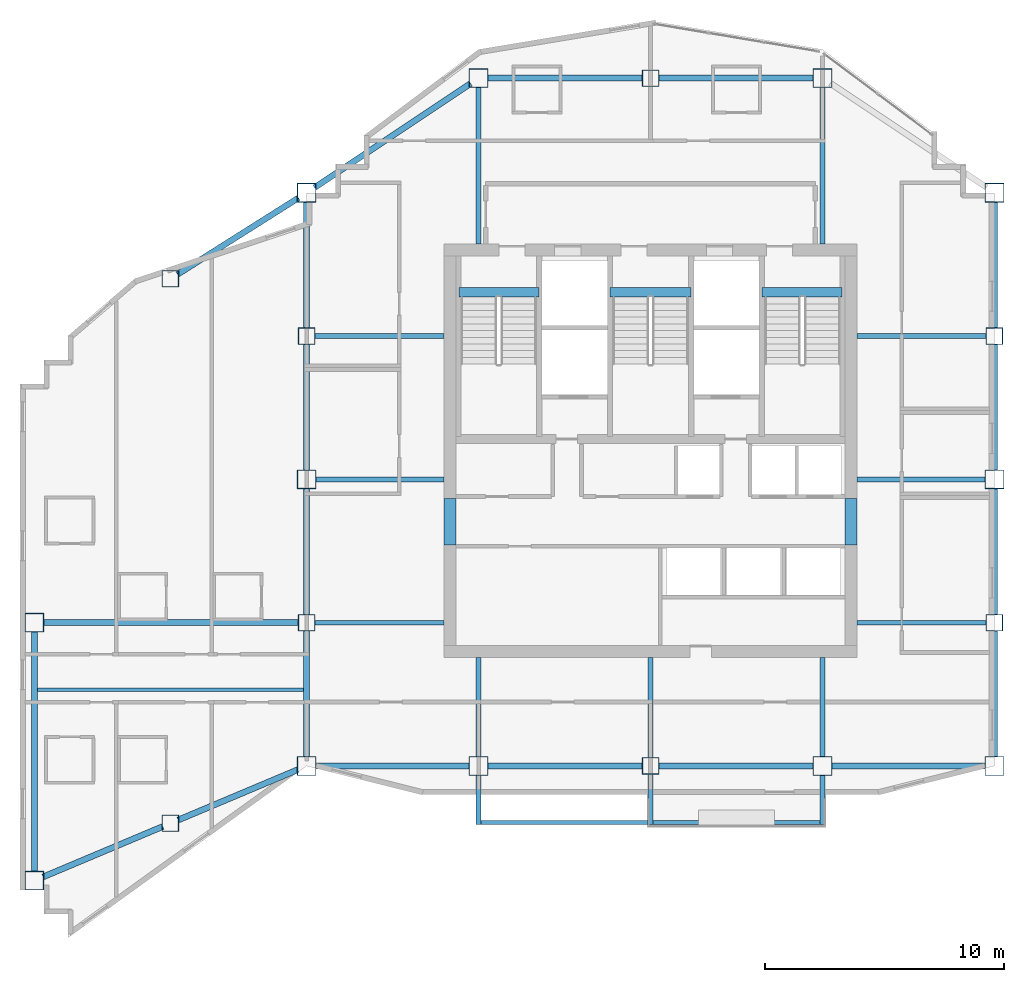
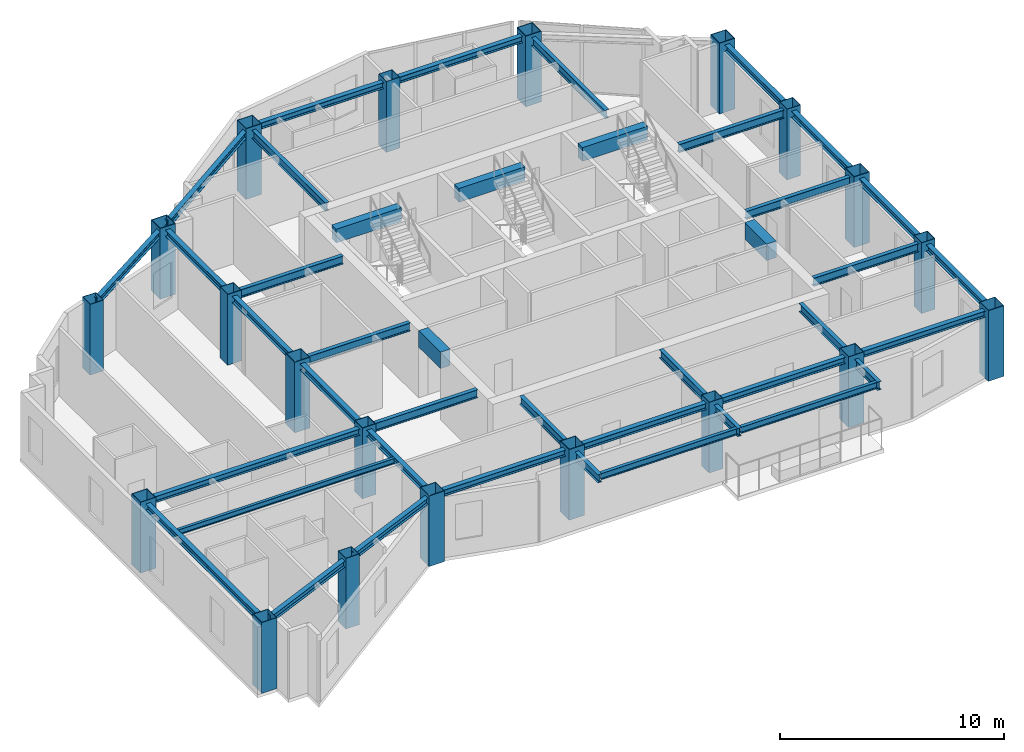
# One storey, part 1 of 9: 42 beams, 20 columns.
"""IFC4 building model written with IfcOpenShell, lengths in metres."""

from ifc_helpers import new_model, si_unit, direction, frame, origin, origin_2d, place, context, subcontext, project, spatial, rectangle, hollow_rectangle, i_section, extrude, material, material_profile, profile_set, type_object, element, save


model = new_model("IFC4")

# Units and contexts
model_context = context("Model", 3, precision=1e-05, world=origin(), true_north=direction((0.0, 1.0)))
body_context = subcontext(model_context, "Body", "Model", "MODEL_VIEW")
ifc_project = project(units=[si_unit("LENGTHUNIT", "METRE"), si_unit("AREAUNIT", "SQUARE_METRE"), si_unit("VOLUMEUNIT", "CUBIC_METRE"), si_unit("PLANEANGLEUNIT", "RADIAN"), si_unit("MASSUNIT", "GRAM", prefix="KILO")], contexts=[model_context])

# Site, building, storey
site_placement = place(None, origin())
site = spatial("IfcSite", under=ifc_project, at=site_placement, CompositionType="ELEMENT")
building_placement = place(site_placement, origin())
building = spatial("IfcBuilding", under=site, at=building_placement, Name="Haolan Belvedere Tower", CompositionType="ELEMENT")
storey_placement = place(building_placement, frame((0.0, 0.0, 269.85009765625)))
storey = spatial("IfcBuildingStorey", under=building, at=storey_placement, Name="L68", CompositionType="ELEMENT", Elevation=269.85009765625)

# Columns
ifc_material_1 = material(Name="Steel Q390GJC", Category="steel")
ifc_material_profile_1 = material_profile(ifc_material_1, hollow_rectangle(XDim=0.699951171875, YDim=0.699951171875, WallThickness=0.02587890625, at=origin_2d()), Name="Steel Q390GJC")
ifc_profile_set_1 = profile_set([ifc_material_profile_1], Name="Steel Q390GJC")
column_type_1 = type_object("IfcColumnType", Name="COL-BOX700x700x26", PredefinedType="COLUMN", material=ifc_profile_set_1)
for number, where, z_axis, x_axis, name in (
    (1, (24.0, 27.60009765625, 0.0), (0.0, 0.0, 1.0), (1.0, 0.0, 0.0), "L68 column TC-T3-W1 (BOX700x700x26)"),
    (2, (24.0, 39.60009765625, 0.0), (0.0, 0.0, 1.0), (1.0, 0.0, 0.0), "L68 column TC-T3-W2 (BOX700x700x26)"),
    (3, (52.800048828125, 27.60009765625, 0.0), (0.0, 0.0, 1.0), (1.0, 0.0, 0.0), "L68 column TC-T3-E1 (BOX700x700x26)"),
    (4, (52.800048828125, 39.60009765625, 0.0), (0.0, 0.0, 1.0), (1.0, 0.0, 0.0), "L68 column TC-T3-E2 (BOX700x700x26)"),
    (5, (38.39990234375, 21.60009765625, 0.0), (0.0, 0.0, 1.0), (1.0, 0.0, 0.0), "L68 column TC-T3-SM (BOX700x700x26)"),
    (6, (38.39990234375, 50.39990234375, 0.0), (0.0, 0.0, 1.0), (1.0, 0.0, 0.0), "L68 column TC-T3-NM (BOX700x700x26)"),
    (7, (18.300048828125, 19.199951171875, 0.0), (0.0, 0.0, 1.0), (1.0, 0.0, 0.0), "L68 column TC-T2-S1 (BOX700x700x26)"),
    (8, (18.300048828125, 42.0, 0.0), (0.0, 0.0, 1.0), (1.0, 0.0, 0.0), "L68 column TC-T2-N1 (BOX700x700x26)"),
):
    element("IfcColumn", number, at=place(storey_placement, frame(where, z_axis=z_axis, x_axis=x_axis)), inside=storey, type_object=column_type_1, Name=name, PredefinedType="COLUMN", context=body_context, shape_type="SweptSolid", body=[
        extrude(hollow_rectangle(XDim=0.699951171875, YDim=0.699951171875, WallThickness=0.02587890625, at=origin_2d()), origin(), (0.0, 0.0, 1.0), 3.849853515625),
    ])
ifc_material_profile_2 = material_profile(ifc_material_1, hollow_rectangle(XDim=0.800048828125, YDim=0.800048828125, WallThickness=0.030029296875, at=origin_2d()), Name="Steel Q390GJC")
ifc_profile_set_2 = profile_set([ifc_material_profile_2], Name="Steel Q390GJC")
column_type_2 = type_object("IfcColumnType", Name="COL-BOX800x800x30", PredefinedType="COLUMN", material=ifc_profile_set_2)
for number, where, z_axis, x_axis, name in (
    (9, (24.0, 21.60009765625, 0.0), (0.0, 0.0, 1.0), (1.0, 0.0, 0.0), "L68 column MC-T3-SW (BOX800x800x30)"),
    (10, (24.0, 33.60009765625, 0.0), (0.0, 0.0, 1.0), (1.0, 0.0, 0.0), "L68 column MC-T3-MW (BOX800x800x30)"),
    (11, (24.0, 45.60009765625, 0.0), (0.0, 0.0, 1.0), (1.0, 0.0, 0.0), "L68 column MC-T3-NW (BOX800x800x30)"),
    (12, (52.800048828125, 21.60009765625, 0.0), (0.0, 0.0, 1.0), (1.0, 0.0, 0.0), "L68 column MC-T3-SE (BOX800x800x30)"),
    (13, (52.800048828125, 33.60009765625, 0.0), (0.0, 0.0, 1.0), (1.0, 0.0, 0.0), "L68 column MC-T3-ME (BOX800x800x30)"),
    (14, (52.800048828125, 45.60009765625, 0.0), (0.0, 0.0, 1.0), (1.0, 0.0, 0.0), "L68 column MC-T3-NE (BOX800x800x30)"),
    (15, (31.199951171875, 21.60009765625, 0.0), (0.0, 0.0, 1.0), (1.0, 0.0, 0.0), "L68 column MC-T3-S1 (BOX800x800x30)"),
    (16, (45.60009765625, 21.60009765625, 0.0), (0.0, 0.0, 1.0), (1.0, 0.0, 0.0), "L68 column MC-T3-S2 (BOX800x800x30)"),
    (17, (31.199951171875, 50.39990234375, 0.0), (0.0, 0.0, 1.0), (1.0, 0.0, 0.0), "L68 column MC-T3-N1 (BOX800x800x30)"),
    (18, (45.60009765625, 50.39990234375, 0.0), (0.0, 0.0, 1.0), (1.0, 0.0, 0.0), "L68 column MC-T3-N2 (BOX800x800x30)"),
    (19, (12.60009765625, 16.800048828125, 0.0), (0.0, 0.0, 1.0), (1.0, 0.0, 0.0), "L68 column MC-T2-SW (BOX800x800x30)"),
    (20, (12.60009765625, 27.60009765625, 0.0), (0.0, 0.0, 1.0), (1.0, 0.0, 0.0), "L68 column MC-T2-MW (BOX800x800x30)"),
):
    element("IfcColumn", number, at=place(storey_placement, frame(where, z_axis=z_axis, x_axis=x_axis)), inside=storey, type_object=column_type_2, Name=name, PredefinedType="COLUMN", context=body_context, shape_type="SweptSolid", body=[
        extrude(hollow_rectangle(XDim=0.800048828125, YDim=0.800048828125, WallThickness=0.030029296875, at=origin_2d()), origin(), (0.0, 0.0, 1.0), 3.849853515625),
    ])

# Beams
ifc_material_2 = material(Name="Steel Q355B", Category="steel")
ifc_material_profile_3 = material_profile(ifc_material_2, i_section(OverallWidth=0.25, OverallDepth=0.340087890625, WebThickness=0.009033203125, FlangeThickness=0.013916015625, FilletRadius=0.02001953125, at=origin_2d()), Name="Steel Q355B")
ifc_profile_set_3 = profile_set([ifc_material_profile_3], Name="Steel Q355B")
beam_type_1 = type_object("IfcBeamType", Name="BM-HM340x250x9x14", PredefinedType="SPANDREL", material=ifc_profile_set_3)
for number, where, z_axis, x_axis, name in (
    (21, (24.0, 22.0, 3.5), (0.0, 1.0, 0.0), (-1.0, 0.0, 0.0), "L68 spandrel girder MC-T3-SW-TC-T3-W1"),
    (22, (24.0, 27.949951171875, 3.5), (0.0, 1.0, 0.0), (-1.0, 0.0, 0.0), "L68 spandrel girder TC-T3-W1-MC-T3-MW"),
    (23, (24.0, 34.0, 3.5), (0.0, 1.0, 0.0), (-1.0, 0.0, 0.0), "L68 spandrel girder MC-T3-MW-TC-T3-W2"),
    (24, (24.0, 39.949951171875, 3.5), (0.0, 1.0, 0.0), (-1.0, 0.0, 0.0), "L68 spandrel girder TC-T3-W2-MC-T3-NW"),
    (25, (52.800048828125, 22.0, 3.5), (0.0, 1.0, 0.0), (-1.0, 0.0, 0.0), "L68 spandrel girder MC-T3-SE-TC-T3-E1"),
    (26, (52.800048828125, 27.949951171875, 3.5), (0.0, 1.0, 0.0), (-1.0, 0.0, 0.0), "L68 spandrel girder TC-T3-E1-MC-T3-ME"),
    (27, (52.800048828125, 34.0, 3.5), (0.0, 1.0, 0.0), (-1.0, 0.0, 0.0), "L68 spandrel girder MC-T3-ME-TC-T3-E2"),
    (28, (52.800048828125, 39.949951171875, 3.5), (0.0, 1.0, 0.0), (-1.0, 0.0, 0.0), "L68 spandrel girder TC-T3-E2-MC-T3-NE"),
):
    element("IfcBeam", number, at=place(storey_placement, frame(where, z_axis=z_axis, x_axis=x_axis)), inside=storey, type_object=beam_type_1, Name=name, PredefinedType="SPANDREL", context=body_context, shape_type="SweptSolid", body=[
        extrude(i_section(OverallWidth=0.25, OverallDepth=0.340087890625, WebThickness=0.009033203125, FlangeThickness=0.013916015625, FilletRadius=0.02001953125, at=origin_2d()), origin(), (0.0, 0.0, 1.0), 5.25),
    ])
beam_1_placement = place(storey_placement, frame((24.39990234375, 21.60009765625, 3.5), z_axis=(1.0, 0.0, 0.0), x_axis=(0.0, 1.0, 0.0)))
element("IfcBeam", 29, at=beam_1_placement, inside=storey, type_object=beam_type_1, Name="L68 spandrel girder MC-T3-SW-MC-T3-S1", PredefinedType="SPANDREL", context=body_context, shape_type="SweptSolid", body=[
    extrude(i_section(OverallWidth=0.25, OverallDepth=0.340087890625, WebThickness=0.009033203125, FlangeThickness=0.013916015625, FilletRadius=0.02001953125, at=origin_2d()), origin(), (0.0, 0.0, 1.0), 6.400146484375),
])
for number, where, z_axis, x_axis, name in (
    (30, (31.60009765625, 21.60009765625, 3.5), (1.0, 0.0, 0.0), (0.0, 1.0, 0.0), "L68 spandrel girder MC-T3-S1-TC-T3-SM"),
    (31, (38.75, 21.60009765625, 3.5), (1.0, 0.0, 0.0), (0.0, 1.0, 0.0), "L68 spandrel girder TC-T3-SM-MC-T3-S2"),
):
    element("IfcBeam", number, at=place(storey_placement, frame(where, z_axis=z_axis, x_axis=x_axis)), inside=storey, type_object=beam_type_1, Name=name, PredefinedType="SPANDREL", context=body_context, shape_type="SweptSolid", body=[
        extrude(i_section(OverallWidth=0.25, OverallDepth=0.340087890625, WebThickness=0.009033203125, FlangeThickness=0.013916015625, FilletRadius=0.02001953125, at=origin_2d()), origin(), (0.0, 0.0, 1.0), 6.449951171875),
    ])
beam_2_placement = place(storey_placement, frame((46.0, 21.60009765625, 3.5), z_axis=(1.0, 0.0, 0.0), x_axis=(0.0, 1.0, 0.0)))
element("IfcBeam", 32, at=beam_2_placement, inside=storey, type_object=beam_type_1, Name="L68 spandrel girder MC-T3-S2-MC-T3-SE", PredefinedType="SPANDREL", context=body_context, shape_type="SweptSolid", body=[
    extrude(i_section(OverallWidth=0.25, OverallDepth=0.340087890625, WebThickness=0.009033203125, FlangeThickness=0.013916015625, FilletRadius=0.02001953125, at=origin_2d()), origin(), (0.0, 0.0, 1.0), 6.39990234375),
])
beam_3_placement = place(storey_placement, frame((24.332763671875, 45.82177734375, 3.5), z_axis=(0.832040729016, 0.55471454394, 0.0), x_axis=(-0.55471454394, 0.832040729016, 0.0)))
element("IfcBeam", 33, at=beam_3_placement, inside=storey, type_object=beam_type_1, Name="L68 spandrel girder MC-T3-NW-MC-T3-N1", PredefinedType="SPANDREL", context=body_context, shape_type="SweptSolid", body=[
    extrude(i_section(OverallWidth=0.25, OverallDepth=0.340087890625, WebThickness=0.009033203125, FlangeThickness=0.013916015625, FilletRadius=0.02001953125, at=origin_2d()), origin(), (0.0, 0.0, 1.0), 7.853515625),
])
for number, where, z_axis, x_axis, name in (
    (34, (31.60009765625, 50.39990234375, 3.5), (1.0, 0.0, 0.0), (0.0, 1.0, 0.0), "L68 spandrel girder MC-T3-N1-TC-T3-NM"),
    (35, (38.75, 50.39990234375, 3.5), (1.0, 0.0, 0.0), (0.0, 1.0, 0.0), "L68 spandrel girder TC-T3-NM-MC-T3-N2"),
):
    element("IfcBeam", number, at=place(storey_placement, frame(where, z_axis=z_axis, x_axis=x_axis)), inside=storey, type_object=beam_type_1, Name=name, PredefinedType="SPANDREL", context=body_context, shape_type="SweptSolid", body=[
        extrude(i_section(OverallWidth=0.25, OverallDepth=0.340087890625, WebThickness=0.009033203125, FlangeThickness=0.013916015625, FilletRadius=0.02001953125, at=origin_2d()), origin(), (0.0, 0.0, 1.0), 6.449951171875),
    ])
beam_4_placement = place(storey_placement, frame((12.60009765625, 17.199951171875, 3.5), z_axis=(0.0, 1.0, 0.0), x_axis=(-1.0, 0.0, 0.0)))
element("IfcBeam", 36, at=beam_4_placement, inside=storey, type_object=beam_type_1, Name="L68 spandrel girder MC-T2-SW-MC-T2-MW", PredefinedType="SPANDREL", context=body_context, shape_type="SweptSolid", body=[
    extrude(i_section(OverallWidth=0.25, OverallDepth=0.340087890625, WebThickness=0.009033203125, FlangeThickness=0.013916015625, FilletRadius=0.02001953125, at=origin_2d()), origin(), (0.0, 0.0, 1.0), 10.0),
])
for number, where, z_axis, x_axis, name in (
    (37, (12.96875, 16.955322265625, 3.5), (0.921640448717, 0.388044950088, 0.0), (-0.388044950088, 0.921640448717, 0.0), "L68 spandrel girder MC-T2-SW-TC-T2-S1"),
    (38, (18.62255859375, 19.3359375, 3.5), (0.921640448717, 0.388044950088, 0.0), (-0.388044950088, 0.921640448717, 0.0), "L68 spandrel girder TC-T2-S1-MC-T3-SW"),
):
    element("IfcBeam", number, at=place(storey_placement, frame(where, z_axis=z_axis, x_axis=x_axis)), inside=storey, type_object=beam_type_1, Name=name, PredefinedType="SPANDREL", context=body_context, shape_type="SweptSolid", body=[
        extrude(i_section(OverallWidth=0.25, OverallDepth=0.340087890625, WebThickness=0.009033203125, FlangeThickness=0.013916015625, FilletRadius=0.02001953125, at=origin_2d()), origin(), (0.0, 0.0, 1.0), 5.4345703125),
    ])
beam_5_placement = place(storey_placement, frame((18.595947265625, 42.18701171875, 3.5), z_axis=(0.845493744187, 0.533985326148, 0.0), x_axis=(-0.533985326148, 0.845493744187, 0.0)))
element("IfcBeam", 39, at=beam_5_placement, inside=storey, type_object=beam_type_1, Name="L68 spandrel girder TC-T2-N1-MC-T3-NW", PredefinedType="SPANDREL", context=body_context, shape_type="SweptSolid", body=[
    extrude(i_section(OverallWidth=0.25, OverallDepth=0.340087890625, WebThickness=0.009033203125, FlangeThickness=0.013916015625, FilletRadius=0.02001953125, at=origin_2d()), origin(), (0.0, 0.0, 1.0), 5.99169921875),
])
beam_6_placement = place(storey_placement, frame((13.0, 27.60009765625, 3.5), z_axis=(1.0, 0.0, 0.0), x_axis=(0.0, 1.0, 0.0)))
element("IfcBeam", 40, at=beam_6_placement, inside=storey, type_object=beam_type_1, Name="L68 spandrel girder MC-T2-MW-TC-T3-W1", PredefinedType="SPANDREL", context=body_context, shape_type="SweptSolid", body=[
    extrude(i_section(OverallWidth=0.25, OverallDepth=0.340087890625, WebThickness=0.009033203125, FlangeThickness=0.013916015625, FilletRadius=0.02001953125, at=origin_2d()), origin(), (0.0, 0.0, 1.0), 10.64990234375),
])
ifc_material_profile_4 = material_profile(ifc_material_2, i_section(OverallWidth=0.14990234375, OverallDepth=0.300048828125, WebThickness=0.006591796875, FlangeThickness=0.009033203125, FilletRadius=0.012939453125, at=origin_2d()), Name="Steel Q355B")
ifc_profile_set_4 = profile_set([ifc_material_profile_4], Name="Steel Q355B")
beam_type_2 = type_object("IfcBeamType", Name="BM-HN300x150x6.5x9", PredefinedType="JOIST", material=ifc_profile_set_4)
beam_7_placement = place(storey_placement, frame((12.72509765625, 24.800048828125, 3.52001953125), z_axis=(1.0, 0.0, 0.0), x_axis=(0.0, 1.0, 0.0)))
element("IfcBeam", 41, at=beam_7_placement, inside=storey, type_object=beam_type_2, Name="L68 west wing floor joist 1", PredefinedType="JOIST", context=body_context, shape_type="SweptSolid", body=[
    extrude(i_section(OverallWidth=0.14990234375, OverallDepth=0.300048828125, WebThickness=0.006591796875, FlangeThickness=0.009033203125, FilletRadius=0.012939453125, at=origin_2d()), origin(), (0.0, 0.0, 1.0), 11.14990234375),
])
ifc_material_profile_5 = material_profile(ifc_material_2, i_section(OverallWidth=0.175048828125, OverallDepth=0.35009765625, WebThickness=0.007080078125, FlangeThickness=0.010986328125, FilletRadius=0.012939453125, at=origin_2d()), Name="Steel Q355B")
ifc_profile_set_5 = profile_set([ifc_material_profile_5], Name="Steel Q355B")
beam_type_3 = type_object("IfcBeamType", Name="BM-HN350x175x7x11", PredefinedType="JOIST", material=ifc_profile_set_5)
for number, where, z_axis, x_axis, name in (
    (42, (31.300048828125, 19.239990234375, 3.44482421875), (1.0, 0.0, 0.0), (0.0, 1.0, 0.0), "L69 tree-balcony front trimmer beam 1"),
    (43, (38.5, 19.239990234375, 3.44482421875), (1.0, 0.0, 0.0), (0.0, 1.0, 0.0), "L69 tree-balcony front trimmer beam 2"),
):
    element("IfcBeam", number, at=place(storey_placement, frame(where, z_axis=z_axis, x_axis=x_axis)), inside=storey, type_object=beam_type_3, Name=name, PredefinedType="BEAM", context=body_context, shape_type="SweptSolid", body=[
        extrude(i_section(OverallWidth=0.175048828125, OverallDepth=0.35009765625, WebThickness=0.007080078125, FlangeThickness=0.010986328125, FilletRadius=0.012939453125, at=origin_2d()), origin(), (0.0, 0.0, 1.0), 7.0),
    ])
ifc_material_profile_6 = material_profile(ifc_material_2, i_section(OverallWidth=0.199951171875, OverallDepth=0.449951171875, WebThickness=0.009033203125, FlangeThickness=0.013916015625, FilletRadius=0.01611328125, at=origin_2d()), Name="Steel Q355B")
ifc_profile_set_6 = profile_set([ifc_material_profile_6], Name="Steel Q355B")
beam_type_4 = type_object("IfcBeamType", Name="BM-HN450x200x9x14", PredefinedType="BEAM", material=ifc_profile_set_6)
beam_8_placement = place(storey_placement, frame((24.39990234375, 33.60009765625, 3.44482421875), z_axis=(1.0, 0.0, 0.0), x_axis=(0.0, 1.0, 0.0)))
element("IfcBeam", 44, at=beam_8_placement, inside=storey, type_object=beam_type_4, Name="L68 core tie beam from MC-T3-MW", PredefinedType="BEAM", context=body_context, shape_type="SweptSolid", body=[
    extrude(i_section(OverallWidth=0.199951171875, OverallDepth=0.449951171875, WebThickness=0.009033203125, FlangeThickness=0.013916015625, FilletRadius=0.01611328125, at=origin_2d()), origin(), (0.0, 0.0, 1.0), 5.35009765625),
])
for number, where, z_axis, x_axis, name in (
    (45, (24.35009765625, 27.60009765625, 3.44482421875), (1.0, 0.0, 0.0), (0.0, 1.0, 0.0), "L68 core tie beam from TC-T3-W1"),
    (46, (24.35009765625, 39.60009765625, 3.44482421875), (1.0, 0.0, 0.0), (0.0, 1.0, 0.0), "L68 core tie beam from TC-T3-W2"),
):
    element("IfcBeam", number, at=place(storey_placement, frame(where, z_axis=z_axis, x_axis=x_axis)), inside=storey, type_object=beam_type_4, Name=name, PredefinedType="BEAM", context=body_context, shape_type="SweptSolid", body=[
        extrude(i_section(OverallWidth=0.199951171875, OverallDepth=0.449951171875, WebThickness=0.009033203125, FlangeThickness=0.013916015625, FilletRadius=0.01611328125, at=origin_2d()), origin(), (0.0, 0.0, 1.0), 5.39990234375),
    ])
beam_9_placement = place(storey_placement, frame((52.39990234375, 33.60009765625, 3.44482421875), z_axis=(-1.0, 0.0, 0.0), x_axis=(0.0, -1.0, 0.0)))
element("IfcBeam", 47, at=beam_9_placement, inside=storey, type_object=beam_type_4, Name="L68 core tie beam from MC-T3-ME", PredefinedType="BEAM", context=body_context, shape_type="SweptSolid", body=[
    extrude(i_section(OverallWidth=0.199951171875, OverallDepth=0.449951171875, WebThickness=0.009033203125, FlangeThickness=0.013916015625, FilletRadius=0.01611328125, at=origin_2d()), origin(), (0.0, 0.0, 1.0), 5.349853515625),
])
for number, where, z_axis, x_axis, name in (
    (48, (52.449951171875, 27.60009765625, 3.44482421875), (-1.0, 0.0, 0.0), (0.0, -1.0, 0.0), "L68 core tie beam from TC-T3-E1"),
    (49, (52.449951171875, 39.60009765625, 3.44482421875), (-1.0, 0.0, 0.0), (0.0, -1.0, 0.0), "L68 core tie beam from TC-T3-E2"),
):
    element("IfcBeam", number, at=place(storey_placement, frame(where, z_axis=z_axis, x_axis=x_axis)), inside=storey, type_object=beam_type_4, Name=name, PredefinedType="BEAM", context=body_context, shape_type="SweptSolid", body=[
        extrude(i_section(OverallWidth=0.199951171875, OverallDepth=0.449951171875, WebThickness=0.009033203125, FlangeThickness=0.013916015625, FilletRadius=0.01611328125, at=origin_2d()), origin(), (0.0, 0.0, 1.0), 5.39990234375),
    ])
beam_10_placement = place(storey_placement, frame((31.199951171875, 22.0, 3.44482421875), z_axis=(0.0, 1.0, 0.0), x_axis=(-1.0, 0.0, 0.0)))
element("IfcBeam", 50, at=beam_10_placement, inside=storey, type_object=beam_type_4, Name="L68 core tie beam from MC-T3-S1", PredefinedType="BEAM", context=body_context, shape_type="SweptSolid", body=[
    extrude(i_section(OverallWidth=0.199951171875, OverallDepth=0.449951171875, WebThickness=0.009033203125, FlangeThickness=0.013916015625, FilletRadius=0.01611328125, at=origin_2d()), origin(), (0.0, 0.0, 1.0), 4.14990234375),
])
beam_11_placement = place(storey_placement, frame((38.39990234375, 21.949951171875, 3.44482421875), z_axis=(0.0, 1.0, 0.0), x_axis=(-1.0, 0.0, 0.0)))
element("IfcBeam", 51, at=beam_11_placement, inside=storey, type_object=beam_type_4, Name="L68 core tie beam from TC-T3-SM", PredefinedType="BEAM", context=body_context, shape_type="SweptSolid", body=[
    extrude(i_section(OverallWidth=0.199951171875, OverallDepth=0.449951171875, WebThickness=0.009033203125, FlangeThickness=0.013916015625, FilletRadius=0.01611328125, at=origin_2d()), origin(), (0.0, 0.0, 1.0), 4.199951171875),
])
beam_12_placement = place(storey_placement, frame((45.60009765625, 22.0, 3.44482421875), z_axis=(0.0, 1.0, 0.0), x_axis=(-1.0, 0.0, 0.0)))
element("IfcBeam", 52, at=beam_12_placement, inside=storey, type_object=beam_type_4, Name="L68 core tie beam from MC-T3-S2", PredefinedType="BEAM", context=body_context, shape_type="SweptSolid", body=[
    extrude(i_section(OverallWidth=0.199951171875, OverallDepth=0.449951171875, WebThickness=0.009033203125, FlangeThickness=0.013916015625, FilletRadius=0.01611328125, at=origin_2d()), origin(), (0.0, 0.0, 1.0), 4.14990234375),
])
for number, where, z_axis, x_axis, name in (
    (53, (31.199951171875, 50.0, 3.44482421875), (0.0, -1.0, 0.0), (1.0, 0.0, 0.0), "L68 core tie beam from MC-T3-N1"),
    (54, (45.60009765625, 50.0, 3.44482421875), (0.0, -1.0, 0.0), (1.0, 0.0, 0.0), "L68 core tie beam from MC-T3-N2"),
):
    element("IfcBeam", number, at=place(storey_placement, frame(where, z_axis=z_axis, x_axis=x_axis)), inside=storey, type_object=beam_type_4, Name=name, PredefinedType="BEAM", context=body_context, shape_type="SweptSolid", body=[
        extrude(i_section(OverallWidth=0.199951171875, OverallDepth=0.449951171875, WebThickness=0.009033203125, FlangeThickness=0.013916015625, FilletRadius=0.01611328125, at=origin_2d()), origin(), (0.0, 0.0, 1.0), 6.550048828125),
    ])
beam_13_placement = place(storey_placement, frame((31.199951171875, 21.199951171875, 3.39501953125), z_axis=(0.0, -1.0, 0.0), x_axis=(1.0, 0.0, 0.0)))
element("IfcBeam", 55, at=beam_13_placement, inside=storey, type_object=beam_type_4, Name="L69 tree-balcony column cantilever MC-T3-S1", PredefinedType="BEAM", context=body_context, shape_type="SweptSolid", body=[
    extrude(i_section(OverallWidth=0.199951171875, OverallDepth=0.449951171875, WebThickness=0.009033203125, FlangeThickness=0.013916015625, FilletRadius=0.01611328125, at=origin_2d()), origin(), (0.0, 0.0, 1.0), 2.06005859375),
])
beam_14_placement = place(storey_placement, frame((38.39990234375, 21.25, 3.39501953125), z_axis=(0.0, -1.0, 0.0), x_axis=(1.0, 0.0, 0.0)))
element("IfcBeam", 56, at=beam_14_placement, inside=storey, type_object=beam_type_4, Name="L69 tree-balcony column cantilever TC-T3-SM", PredefinedType="BEAM", context=body_context, shape_type="SweptSolid", body=[
    extrude(i_section(OverallWidth=0.199951171875, OverallDepth=0.449951171875, WebThickness=0.009033203125, FlangeThickness=0.013916015625, FilletRadius=0.01611328125, at=origin_2d()), origin(), (0.0, 0.0, 1.0), 2.110107421875),
])
beam_15_placement = place(storey_placement, frame((45.60009765625, 21.199951171875, 3.39501953125), z_axis=(0.0, -1.0, 0.0), x_axis=(1.0, 0.0, 0.0)))
element("IfcBeam", 57, at=beam_15_placement, inside=storey, type_object=beam_type_4, Name="L69 tree-balcony column cantilever MC-T3-S2", PredefinedType="BEAM", context=body_context, shape_type="SweptSolid", body=[
    extrude(i_section(OverallWidth=0.199951171875, OverallDepth=0.449951171875, WebThickness=0.009033203125, FlangeThickness=0.013916015625, FilletRadius=0.01611328125, at=origin_2d()), origin(), (0.0, 0.0, 1.0), 2.06005859375),
])
ifc_material_3 = material(Name="Concrete C50/60", Category="concrete")
ifc_material_profile_7 = material_profile(ifc_material_3, rectangle(XDim=0.39990234375, YDim=0.75, at=origin_2d()), Name="Concrete C50/60")
ifc_profile_set_7 = profile_set([ifc_material_profile_7], Name="Concrete C50/60")
beam_type_5 = type_object("IfcBeamType", Name="BM-RC400x750", PredefinedType="T_BEAM", material=ifc_profile_set_7)
beam_16_placement = place(storey_placement, frame((30.3798828125, 41.429931640625, 3.474853515625), z_axis=(1.0, 0.0, 0.0), x_axis=(0.0, 1.0, 0.0)))
element("IfcBeam", 58, at=beam_16_placement, inside=storey, type_object=beam_type_5, Name="L69 stair ST1 RC header trimmer beam", PredefinedType="BEAM", context=body_context, shape_type="SweptSolid", body=[
    extrude(rectangle(XDim=0.39990234375, YDim=0.75, at=origin_2d()), origin(), (0.0, 0.0, 1.0), 3.360107421875),
])
beam_17_placement = place(storey_placement, frame((36.699951171875, 41.429931640625, 3.474853515625), z_axis=(1.0, 0.0, 0.0), x_axis=(0.0, 1.0, 0.0)))
element("IfcBeam", 59, at=beam_17_placement, inside=storey, type_object=beam_type_5, Name="L69 stair ST3 RC header trimmer beam", PredefinedType="BEAM", context=body_context, shape_type="SweptSolid", body=[
    extrude(rectangle(XDim=0.39990234375, YDim=0.75, at=origin_2d()), origin(), (0.0, 0.0, 1.0), 3.400146484375),
])
beam_18_placement = place(storey_placement, frame((43.06005859375, 41.429931640625, 3.474853515625), z_axis=(1.0, 0.0, 0.0), x_axis=(0.0, 1.0, 0.0)))
element("IfcBeam", 60, at=beam_18_placement, inside=storey, type_object=beam_type_5, Name="L69 stair ST2 RC header trimmer beam", PredefinedType="BEAM", context=body_context, shape_type="SweptSolid", body=[
    extrude(rectangle(XDim=0.39990234375, YDim=0.75, at=origin_2d()), origin(), (0.0, 0.0, 1.0), 3.35986328125),
])
ifc_material_4 = material(Name="Concrete C60/75", Category="concrete")
ifc_material_profile_8 = material_profile(ifc_material_4, rectangle(XDim=0.5, YDim=0.89990234375, at=origin_2d()), Name="Concrete C60/75")
ifc_profile_set_8 = profile_set([ifc_material_profile_8], Name="Concrete C60/75")
beam_type_6 = type_object("IfcBeamType", Name="BM-RC500x900", PredefinedType="LINTEL", material=ifc_profile_set_8)
for number, where, z_axis, x_axis, name in (
    (61, (30.0, 30.85009765625, 3.219970703125), (0.0, 1.0, 0.0), (-1.0, 0.0, 0.0), "L68 west core coupling beam CB-01"),
    (62, (46.800048828125, 30.85009765625, 3.219970703125), (0.0, 1.0, 0.0), (-1.0, 0.0, 0.0), "L68 east core coupling beam CB-01"),
):
    element("IfcBeam", number, at=place(storey_placement, frame(where, z_axis=z_axis, x_axis=x_axis)), inside=storey, type_object=beam_type_6, Name=name, PredefinedType="LINTEL", context=body_context, shape_type="SweptSolid", body=[
        extrude(rectangle(XDim=0.5, YDim=0.89990234375, at=origin_2d()), origin(), (0.0, 0.0, 1.0), 1.949951171875),
    ])

save(model, "model.ifc")
